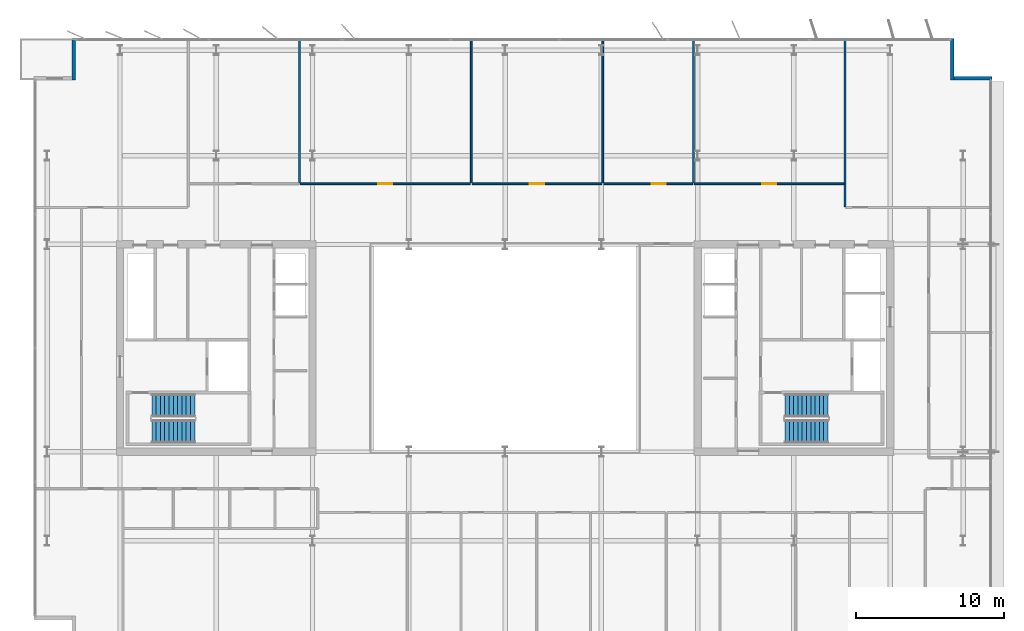
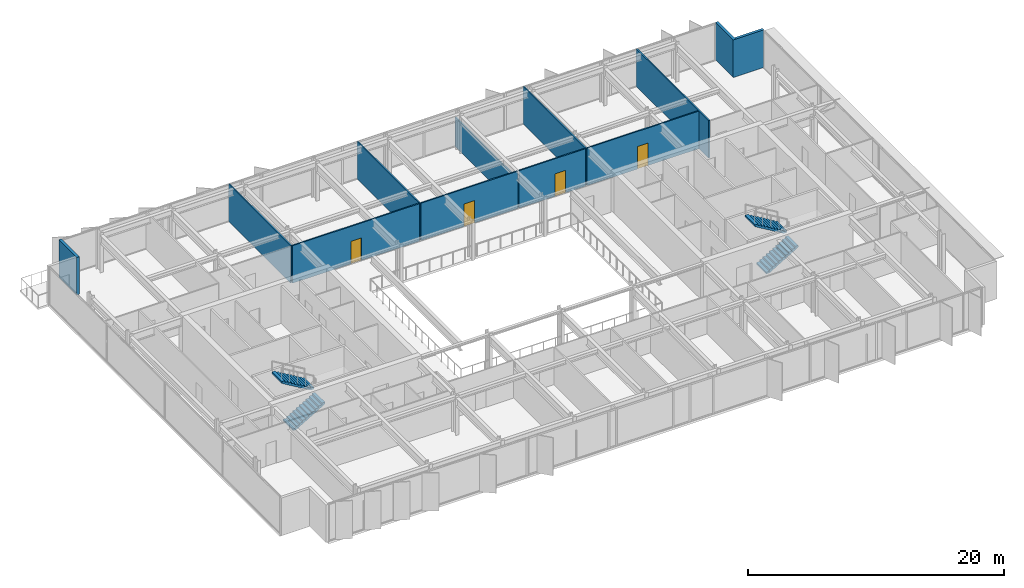
# One storey, part 16 of 20: 12 walls, 4 doors, 4 stair flights, 4 openings, 2 elements without a shape of their own.
"""IFC4 building model written with IfcOpenShell, lengths in metres."""

from ifc_helpers import new_model, si_unit, direction, frame, frame_2d, origin, place, context, subcontext, project, spatial, polyline, rectangle, outline, extrude, material, layer, layer_set, type_object, element, fill, aggregate, save


model = new_model("IFC4")

# Units and contexts
model_context = context("Model", 3, precision=1e-05, world=origin(), true_north=direction((0.0, 1.0)))
body_context = subcontext(model_context, "Body", "Model", "MODEL_VIEW")
ifc_project = project(units=[si_unit("LENGTHUNIT", "METRE"), si_unit("AREAUNIT", "SQUARE_METRE"), si_unit("VOLUMEUNIT", "CUBIC_METRE"), si_unit("PLANEANGLEUNIT", "RADIAN"), si_unit("MASSUNIT", "GRAM", prefix="KILO")], contexts=[model_context])

# Site, building, storey
site_placement = place(None, origin())
site = spatial("IfcSite", under=ifc_project, at=site_placement, CompositionType="ELEMENT")
building_placement = place(site_placement, origin())
building = spatial("IfcBuilding", under=site, at=building_placement, Name="Putna Gate Headquarters", CompositionType="ELEMENT")
storey_placement = place(building_placement, frame((0.0, 0.0, 274.60009765625)))
storey = spatial("IfcBuildingStorey", under=building, at=storey_placement, Name="L69", CompositionType="ELEMENT", Elevation=274.60009765625)

# Walls
ifc_material_1 = material(Name="Precast concrete C40/50", Category="concrete")
ifc_layer_1 = layer(ifc_material_1, 0.239990234375)
ifc_layer_set_1 = layer_set([ifc_layer_1], Name="Precast concrete C40/50")
wall_type_1 = type_object("IfcWallType", Name="WALL-EXT-TERR-240", PredefinedType="STANDARD", material=ifc_layer_set_1)
for number, where, z_axis, x_axis, name in (
    (1, (9.8798828125, 44.10009765625, 0.0), (0.0, 0.0, 1.0), (0.0, 1.0, 0.0), "L69 Corner Notch Return Wall NW-V"),
    (2, (69.184814453125, 46.89990234375, 0.0), (0.0, 0.0, 1.0), (0.0, -1.0, 0.0), "L69 Corner Notch Return Wall NE-V"),
):
    element("IfcWall", number, at=place(storey_placement, frame(where, z_axis=z_axis, x_axis=x_axis)), inside=storey, type_object=wall_type_1, Name=name, PredefinedType="STANDARD", context=body_context, shape_type="SweptSolid", body=[
        extrude(rectangle(XDim=2.7998046875, YDim=0.239990234375, at=frame_2d((1.39990234375, 0.0))), origin(), (0.0, 0.0, 1.0), 3.587890625),
    ])
wall_1_placement = place(storey_placement, frame((69.06494140625, 44.219970703125, 0.0), z_axis=(0.0, 0.0, 1.0), x_axis=(1.0, 0.0, 0.0)))
element("IfcWall", 3, at=wall_1_placement, inside=storey, type_object=wall_type_1, Name="L69 Corner Notch Return Wall NE-H", PredefinedType="STANDARD", context=body_context, shape_type="SweptSolid", body=[
    extrude(rectangle(XDim=2.800048828125, YDim=0.239990234375, at=frame_2d((1.39990234375, 0.0))), origin(), (0.0, 0.0, 1.0), 3.587890625),
])
ifc_material_2 = material(Name="Acoustic gypsum board on metal stud")
ifc_layer_2 = layer(ifc_material_2, 0.1201171875)
ifc_layer_set_2 = layer_set([ifc_layer_2], Name="Acoustic gypsum board on metal stud")
wall_type_2 = type_object("IfcWallType", Name="WALL-PART-120", PredefinedType="PARTITIONING", material=ifc_layer_set_2)
for number, where, z_axis, x_axis, name in (
    (4, (25.115234375, 37.159912109375, 0.0), (0.0, 0.0, 1.0), (0.0, 1.0, 0.0), "L69 Interior Wall PART-L69-NB-DIV-02"),
    (5, (36.722412109375, 37.159912109375, 0.0), (0.0, 0.0, 1.0), (0.0, 1.0, 0.0), "L69 Interior Wall PART-L69-NB-DIV-03"),
):
    element("IfcWall", number, at=place(storey_placement, frame(where, z_axis=z_axis, x_axis=x_axis)), inside=storey, type_object=wall_type_2, Name=name, PredefinedType="PARTITIONING", context=body_context, shape_type="SweptSolid", body=[
        extrude(rectangle(XDim=9.719970703125, YDim=0.1201171875, at=frame_2d((4.85986328125, 0.0))), origin(), (0.0, 0.0, 1.0), 3.587890625),
    ])
wall_2_placement = place(storey_placement, frame((45.590087890625, 37.159912109375, 0.0), z_axis=(0.0, 0.0, 1.0), x_axis=(0.0, 1.0, 0.0)))
element("IfcWall", 6, at=wall_2_placement, inside=storey, type_object=wall_type_2, Name="L69 Interior Wall PART-L69-NB-DIV-04", PredefinedType="PARTITIONING", context=body_context, shape_type="SweptSolid", body=[
    extrude(rectangle(XDim=9.719970703125, YDim=0.1201171875, at=frame_2d((4.85986328125, 0.0))), origin(), (0.0, 0.0, 1.0), 2.787841796875),
])
wall_3_placement = place(storey_placement, frame((51.71826171875, 37.159912109375, 0.0), z_axis=(0.0, 0.0, 1.0), x_axis=(0.0, 1.0, 0.0)))
element("IfcWall", 7, at=wall_3_placement, inside=storey, type_object=wall_type_2, Name="L69 Interior Wall PART-L69-NB-DIV-05", PredefinedType="PARTITIONING", context=body_context, shape_type="SweptSolid", body=[
    extrude(rectangle(XDim=9.719970703125, YDim=0.1201171875, at=frame_2d((4.85986328125, 0.0))), origin(), (0.0, 0.0, 1.0), 3.587890625),
])
wall_4_placement = place(storey_placement, frame((61.95556640625, 35.56005859375, 0.0), z_axis=(0.0, 0.0, 1.0), x_axis=(0.0, 1.0, 0.0)))
element("IfcWall", 8, at=wall_4_placement, inside=storey, type_object=wall_type_2, Name="L69 Interior Wall PART-L69-NB-DIV-06", PredefinedType="PARTITIONING", context=body_context, shape_type="SweptSolid", body=[
    extrude(rectangle(XDim=11.31982421875, YDim=0.1201171875, at=frame_2d((5.659912109375, 0.0))), origin(), (0.0, 0.0, 1.0), 3.587890625),
])

# Wall, opening, door
ifc_material_3 = material(Name="Fire-rated gypsum board on metal stud")
ifc_layer_3 = layer(ifc_material_3, 0.1201171875)
ifc_layer_set_3 = layer_set([ifc_layer_3], Name="Fire-rated gypsum board on metal stud")
wall_type_3 = type_object("IfcWallType", Name="WALL-PART-120-RATED", PredefinedType="PARTITIONING", material=ifc_layer_set_3)
wall_5_placement = place(storey_placement, frame((25.17529296875, 37.10009765625, 0.0), z_axis=(0.0, 0.0, 1.0), x_axis=(1.0, 0.0, 0.0)))
wall_5 = element("IfcWall", 9, at=wall_5_placement, inside=storey, type_object=wall_type_3, Name="L69 Interior Wall PART-L69-NB-CW-03", PredefinedType="PARTITIONING", context=body_context, shape_type="SweptSolid", body=[
    extrude(rectangle(XDim=11.487060546875, YDim=0.1201171875, at=frame_2d((5.74365234375, 0.0))), origin(), (0.0, 0.0, 1.0), 3.587890625),
])
opening_1_placement = place(wall_5_placement, frame((5.2685546875, 0.0, 0.0)))
opening_1 = element("IfcOpeningElement", 10, at=opening_1_placement, cuts=wall_5, Name="Opening FD-95", PredefinedType="OPENING", context=body_context, shape_type="SweptSolid", body=[
    extrude(rectangle(XDim=0.949951171875, YDim=2.14990234375, at=frame_2d((0.47509765625, 1.074951171875))), frame((0.0, 0.070068359375, 0.0), z_axis=(0.0, -1.0, 0.0), x_axis=(1.0, 0.0, 0.0)), (0.0, 0.0, 1.0), 0.14013671875),
])
ifc_material_4 = material(Name="Acoustic timber fire door", Category="wood")
door_type = type_object("IfcDoorType", Name="DOOR-FIRE-950", OperationType="NOTDEFINED", PredefinedType="DOOR", material=ifc_material_4)
door_1_placement = place(opening_1_placement, origin())
door_1 = element("IfcDoor", 11, at=door_1_placement, inside=storey, type_object=door_type, Name="L69 Cellular Office 1 Door", OperationType="SINGLE_SWING_RIGHT", OverallHeight=2.14990234375, OverallWidth=0.949951171875, PredefinedType="DOOR", context=body_context, shape_type="SweptSolid", body=[
    extrude(rectangle(XDim=0.949951171875, YDim=2.14990234375, at=frame_2d((0.47509765625, 1.074951171875))), frame((0.0, 0.02490234375, 0.0), z_axis=(0.0, -1.0, 0.0), x_axis=(1.0, 0.0, 0.0)), (0.0, 0.0, 1.0), 0.050048828125),
])
fill(opening_1, door_1)

wall_6_placement = place(storey_placement, frame((36.7822265625, 37.10009765625, 0.0), z_axis=(0.0, 0.0, 1.0), x_axis=(1.0, 0.0, 0.0)))
wall_6 = element("IfcWall", 12, at=wall_6_placement, inside=storey, type_object=wall_type_3, Name="L69 Interior Wall PART-L69-NB-CW-04", PredefinedType="PARTITIONING", context=body_context, shape_type="SweptSolid", body=[
    extrude(rectangle(XDim=8.747802734375, YDim=0.1201171875, at=frame_2d((4.3740234375, 0.0))), origin(), (0.0, 0.0, 1.0), 3.587890625),
])
opening_2_placement = place(wall_6_placement, frame((3.898681640625, 0.0, 0.0)))
opening_2 = element("IfcOpeningElement", 13, at=opening_2_placement, cuts=wall_6, Name="Opening FD-95", PredefinedType="OPENING", context=body_context, shape_type="SweptSolid", body=[
    extrude(rectangle(XDim=0.949951171875, YDim=2.14990234375, at=frame_2d((0.47509765625, 1.074951171875))), frame((0.0, 0.070068359375, 0.0), z_axis=(0.0, -1.0, 0.0), x_axis=(1.0, 0.0, 0.0)), (0.0, 0.0, 1.0), 0.14013671875),
])
door_2_placement = place(opening_2_placement, origin())
door_2 = element("IfcDoor", 14, at=door_2_placement, inside=storey, type_object=door_type, Name="L69 Cellular Office 2 Door", OperationType="SINGLE_SWING_LEFT", OverallHeight=2.14990234375, OverallWidth=0.949951171875, PredefinedType="DOOR", context=body_context, shape_type="SweptSolid", body=[
    extrude(rectangle(XDim=0.949951171875, YDim=2.14990234375, at=frame_2d((0.47509765625, 1.074951171875))), frame((0.0, 0.02490234375, 0.0), z_axis=(0.0, -1.0, 0.0), x_axis=(1.0, 0.0, 0.0)), (0.0, 0.0, 1.0), 0.050048828125),
])
fill(opening_2, door_2)

wall_7_placement = place(storey_placement, frame((45.64990234375, 37.10009765625, 0.0), z_axis=(0.0, 0.0, 1.0), x_axis=(1.0, 0.0, 0.0)))
wall_7 = element("IfcWall", 15, at=wall_7_placement, inside=storey, type_object=wall_type_3, Name="L69 Interior Wall PART-L69-NB-CW-05", PredefinedType="PARTITIONING", context=body_context, shape_type="SweptSolid", body=[
    extrude(rectangle(XDim=6.00830078125, YDim=0.1201171875, at=frame_2d((3.004150390625, 0.0))), origin(), (0.0, 0.0, 1.0), 3.587890625),
])
opening_3_placement = place(wall_7_placement, frame((3.255615234375, 0.0, 0.0)))
opening_3 = element("IfcOpeningElement", 16, at=opening_3_placement, cuts=wall_7, Name="Opening FD-95", PredefinedType="OPENING", context=body_context, shape_type="SweptSolid", body=[
    extrude(rectangle(XDim=0.949951171875, YDim=2.14990234375, at=frame_2d((0.47509765625, 1.074951171875))), frame((0.0, 0.070068359375, 0.0), z_axis=(0.0, -1.0, 0.0), x_axis=(1.0, 0.0, 0.0)), (0.0, 0.0, 1.0), 0.14013671875),
])
door_3_placement = place(opening_3_placement, origin())
door_3 = element("IfcDoor", 17, at=door_3_placement, inside=storey, type_object=door_type, Name="L69 Cellular Office 3 Door", OperationType="SINGLE_SWING_RIGHT", OverallHeight=2.14990234375, OverallWidth=0.949951171875, PredefinedType="DOOR", context=body_context, shape_type="SweptSolid", body=[
    extrude(rectangle(XDim=0.949951171875, YDim=2.14990234375, at=frame_2d((0.47509765625, 1.074951171875))), frame((0.0, 0.02490234375, 0.0), z_axis=(0.0, -1.0, 0.0), x_axis=(1.0, 0.0, 0.0)), (0.0, 0.0, 1.0), 0.050048828125),
])
fill(opening_3, door_3)

wall_8_placement = place(storey_placement, frame((51.7783203125, 37.10009765625, 0.0), z_axis=(0.0, 0.0, 1.0), x_axis=(1.0, 0.0, 0.0)))
wall_8 = element("IfcWall", 18, at=wall_8_placement, inside=storey, type_object=wall_type_3, Name="L69 Interior Wall PART-L69-NB-CW-06", PredefinedType="PARTITIONING", context=body_context, shape_type="SweptSolid", body=[
    extrude(rectangle(XDim=10.1171875, YDim=0.1201171875, at=frame_2d((5.05859375, 0.0))), origin(), (0.0, 0.0, 1.0), 3.587890625),
])
opening_4_placement = place(wall_8_placement, frame((4.583740234375, 0.0, 0.0)))
opening_4 = element("IfcOpeningElement", 19, at=opening_4_placement, cuts=wall_8, Name="Opening FD-95", PredefinedType="OPENING", context=body_context, shape_type="SweptSolid", body=[
    extrude(rectangle(XDim=0.949951171875, YDim=2.14990234375, at=frame_2d((0.47509765625, 1.074951171875))), frame((0.0, 0.070068359375, 0.0), z_axis=(0.0, -1.0, 0.0), x_axis=(1.0, 0.0, 0.0)), (0.0, 0.0, 1.0), 0.14013671875),
])
door_4_placement = place(opening_4_placement, origin())
door_4 = element("IfcDoor", 20, at=door_4_placement, inside=storey, type_object=door_type, Name="L69 Cellular Office 4 Door", OperationType="SINGLE_SWING_LEFT", OverallHeight=2.14990234375, OverallWidth=0.949951171875, PredefinedType="DOOR", context=body_context, shape_type="SweptSolid", body=[
    extrude(rectangle(XDim=0.949951171875, YDim=2.14990234375, at=frame_2d((0.47509765625, 1.074951171875))), frame((0.0, 0.02490234375, 0.0), z_axis=(0.0, -1.0, 0.0), x_axis=(1.0, 0.0, 0.0)), (0.0, 0.0, 1.0), 0.050048828125),
])
fill(opening_4, door_4)

# Stair, stair flights
ifc_material_5 = material(Name="Concrete C40/50", Category="concrete")
stair_type_1 = type_object("IfcStairType", Name="STAIR-ST1", PredefinedType="HALF_TURN_STAIR", material=ifc_material_5)
stair_1_placement = place(storey_placement, origin())
stair_1 = element("IfcStair", 21, at=stair_1_placement, inside=storey, type_object=stair_type_1, Name="L69 West Core Exit Stair ST1", PredefinedType="HALF_TURN_STAIR")
stair_flight_type_1 = type_object("IfcStairFlightType", Name="FLIGHT-ST1", PredefinedType="STRAIGHT", material=ifc_material_5)
stair_flight_1_placement = place(storey_placement, frame((15.14990234375, 20.375, 0.0), z_axis=(0.0, 0.0, 1.0), x_axis=(1.0, 0.0, 0.0)))
stair_flight_1 = element("IfcStairFlight", 22, at=stair_flight_1_placement, type_object=stair_flight_type_1, Name="ST1 flight 1", NumberOfRisers=11, NumberOfTreads=10, PredefinedType="STRAIGHT", RiserHeight=0.172727273, TreadLength=0.29, context=body_context, shape_type="SweptSolid", body=[
    extrude(outline(polyline([(0.0, 0.0), (0.0, 0.172607421875), (0.2900390625, 0.172607421875), (0.2900390625, 0.345458984375), (0.580078125, 0.345458984375), (0.580078125, 0.51806640625), (0.8701171875, 0.51806640625), (0.8701171875, 0.69091796875), (1.159912109375, 0.69091796875), (1.159912109375, 0.863525390625), (1.449951171875, 0.863525390625), (1.449951171875, 1.036376953125), (1.739990234375, 1.036376953125), (1.739990234375, 1.208984375), (2.030029296875, 1.208984375), (2.030029296875, 1.3818359375), (2.320068359375, 1.3818359375), (2.320068359375, 1.554443359375), (2.610107421875, 1.554443359375), (2.610107421875, 1.727294921875), (2.89990234375, 1.727294921875), (2.89990234375, 1.89990234375), (2.89990234375, 1.552734375), (0.29296875, 0.0), (0.0, 0.0)])), frame((0.0, 0.77490234375, 0.0), z_axis=(0.0, -1.0, 0.0), x_axis=(1.0, 0.0, 0.0)), (0.0, 0.0, 1.0), 1.550048828125),
])
stair_flight_2_placement = place(storey_placement, frame((18.050048828125, 22.125, 1.89990234375), z_axis=(0.0, 0.0, 1.0), x_axis=(-1.0, 0.0, 0.0)))
stair_flight_2 = element("IfcStairFlight", 23, at=stair_flight_2_placement, type_object=stair_flight_type_1, Name="ST1 flight 2", NumberOfRisers=11, NumberOfTreads=10, PredefinedType="STRAIGHT", RiserHeight=0.172727273, TreadLength=0.29, context=body_context, shape_type="SweptSolid", body=[
    extrude(outline(polyline([(0.0, 0.0), (0.0, 0.172607421875), (0.2900390625, 0.172607421875), (0.2900390625, 0.345458984375), (0.580078125, 0.345458984375), (0.580078125, 0.51806640625), (0.8701171875, 0.51806640625), (0.8701171875, 0.69091796875), (1.159912109375, 0.69091796875), (1.159912109375, 0.863525390625), (1.449951171875, 0.863525390625), (1.449951171875, 1.036376953125), (1.739990234375, 1.036376953125), (1.739990234375, 1.208984375), (2.030029296875, 1.208984375), (2.030029296875, 1.3818359375), (2.320068359375, 1.3818359375), (2.320068359375, 1.554443359375), (2.610107421875, 1.554443359375), (2.610107421875, 1.727294921875), (2.89990234375, 1.727294921875), (2.89990234375, 1.89990234375), (2.89990234375, 1.552734375), (0.29296875, 0.0), (0.0, 0.0)])), frame((0.0, 0.77490234375, 0.0), z_axis=(0.0, -1.0, 0.0), x_axis=(1.0, 0.0, 0.0)), (0.0, 0.0, 1.0), 1.550048828125),
])
aggregate(stair_1, [stair_flight_1, stair_flight_2])

stair_type_2 = type_object("IfcStairType", Name="STAIR-ST2", PredefinedType="HALF_TURN_STAIR", material=ifc_material_5)
stair_2_placement = place(storey_placement, origin())
stair_2 = element("IfcStair", 24, at=stair_2_placement, inside=storey, type_object=stair_type_2, Name="L69 East Core Exit Stair ST2", PredefinedType="HALF_TURN_STAIR")
stair_flight_type_2 = type_object("IfcStairFlightType", Name="FLIGHT-ST2", PredefinedType="STRAIGHT", material=ifc_material_5)
stair_flight_3_placement = place(storey_placement, frame((57.89990234375, 20.375, 0.0), z_axis=(0.0, 0.0, 1.0), x_axis=(1.0, 0.0, 0.0)))
stair_flight_3 = element("IfcStairFlight", 25, at=stair_flight_3_placement, type_object=stair_flight_type_2, Name="ST2 flight 1", NumberOfRisers=11, NumberOfTreads=10, PredefinedType="STRAIGHT", RiserHeight=0.172727273, TreadLength=0.29, context=body_context, shape_type="SweptSolid", body=[
    extrude(outline(polyline([(0.0, 0.0), (0.0, 0.172607421875), (0.2900390625, 0.172607421875), (0.2900390625, 0.345458984375), (0.580078125, 0.345458984375), (0.580078125, 0.51806640625), (0.8701171875, 0.51806640625), (0.8701171875, 0.69091796875), (1.159912109375, 0.69091796875), (1.159912109375, 0.863525390625), (1.449951171875, 0.863525390625), (1.449951171875, 1.036376953125), (1.739990234375, 1.036376953125), (1.739990234375, 1.208984375), (2.030029296875, 1.208984375), (2.030029296875, 1.3818359375), (2.320068359375, 1.3818359375), (2.320068359375, 1.554443359375), (2.610107421875, 1.554443359375), (2.610107421875, 1.727294921875), (2.89990234375, 1.727294921875), (2.89990234375, 1.89990234375), (2.89990234375, 1.552734375), (0.29296875, 0.0), (0.0, 0.0)])), frame((0.0, 0.77490234375, 0.0), z_axis=(0.0, -1.0, 0.0), x_axis=(1.0, 0.0, 0.0)), (0.0, 0.0, 1.0), 1.550048828125),
])
stair_flight_4_placement = place(storey_placement, frame((60.800048828125, 22.125, 1.89990234375), z_axis=(0.0, 0.0, 1.0), x_axis=(-1.0, 0.0, 0.0)))
stair_flight_4 = element("IfcStairFlight", 26, at=stair_flight_4_placement, type_object=stair_flight_type_2, Name="ST2 flight 2", NumberOfRisers=11, NumberOfTreads=10, PredefinedType="STRAIGHT", RiserHeight=0.172727273, TreadLength=0.29, context=body_context, shape_type="SweptSolid", body=[
    extrude(outline(polyline([(0.0, 0.0), (0.0, 0.172607421875), (0.2900390625, 0.172607421875), (0.2900390625, 0.345458984375), (0.580078125, 0.345458984375), (0.580078125, 0.51806640625), (0.8701171875, 0.51806640625), (0.8701171875, 0.69091796875), (1.159912109375, 0.69091796875), (1.159912109375, 0.863525390625), (1.449951171875, 0.863525390625), (1.449951171875, 1.036376953125), (1.739990234375, 1.036376953125), (1.739990234375, 1.208984375), (2.030029296875, 1.208984375), (2.030029296875, 1.3818359375), (2.320068359375, 1.3818359375), (2.320068359375, 1.554443359375), (2.610107421875, 1.554443359375), (2.610107421875, 1.727294921875), (2.89990234375, 1.727294921875), (2.89990234375, 1.89990234375), (2.89990234375, 1.552734375), (0.29296875, 0.0), (0.0, 0.0)])), frame((0.0, 0.77490234375, 0.0), z_axis=(0.0, -1.0, 0.0), x_axis=(1.0, 0.0, 0.0)), (0.0, 0.0, 1.0), 1.550048828125),
])
aggregate(stair_2, [stair_flight_3, stair_flight_4])

save(model, "model.ifc")
